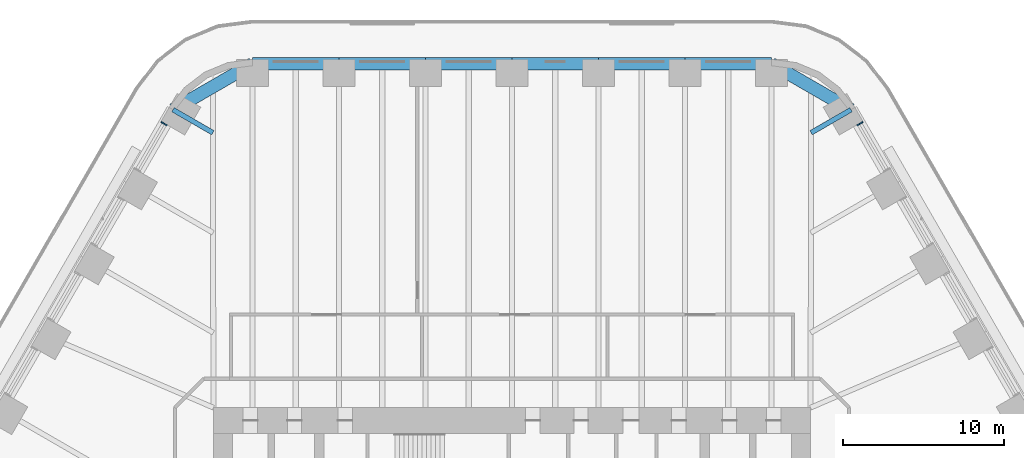
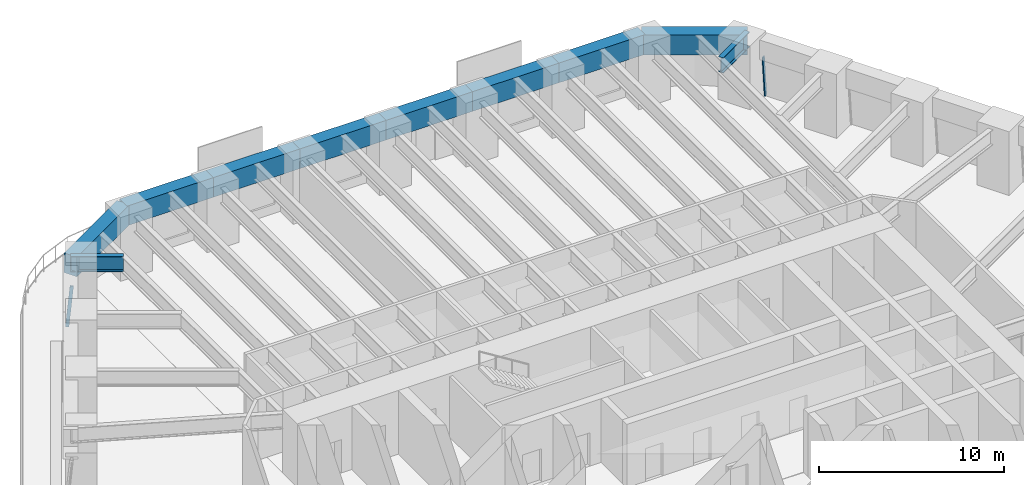
# One storey, part 14 of 23: 10 beams, 2 members, 2 elements without a shape of their own.
"""IFC4 building model written with IfcOpenShell, lengths in metres."""

from ifc_helpers import new_model, si_unit, direction, frame, origin, origin_2d, place, context, subcontext, project, spatial, rectangle, i_section, extrude, material, material_profile, profile_set, type_object, element, aggregate, save


model = new_model("IFC4")

# Units and contexts
model_context = context("Model", 3, precision=1e-05, world=origin(), true_north=direction((0.0, 1.0)))
body_context = subcontext(model_context, "Body", "Model", "MODEL_VIEW")
ifc_project = project(units=[si_unit("LENGTHUNIT", "METRE"), si_unit("AREAUNIT", "SQUARE_METRE"), si_unit("VOLUMEUNIT", "CUBIC_METRE"), si_unit("PLANEANGLEUNIT", "RADIAN"), si_unit("MASSUNIT", "GRAM", prefix="KILO")], contexts=[model_context])

# Site, building, storey
site_placement = place(None, origin())
site = spatial("IfcSite", under=ifc_project, at=site_placement, CompositionType="ELEMENT")
building_placement = place(site_placement, origin())
building = spatial("IfcBuilding", under=site, at=building_placement, Name="Tarfa Lantern Tower", CompositionType="ELEMENT")
storey_placement = place(building_placement, frame((0.0, 0.0, 78.10009765625)))
storey = spatial("IfcBuildingStorey", under=building, at=storey_placement, Name="L17", CompositionType="ELEMENT", Elevation=78.10009765625)

# Curtain wall, member
ifc_material_1 = material(Name="Aluminium framed curtain wall", Category="aluminium")
curtain_wall_type = type_object("IfcCurtainWallType", Name="CW1 CANTED GLAZING LOW ZONE 2700", PredefinedType="USERDEFINED", material=ifc_material_1)
curtain_wall_1_placement = place(storey_placement, origin())
curtain_wall_1 = element("IfcCurtainWall", 1, at=curtain_wall_1_placement, inside=storey, type_object=curtain_wall_type, Name="CW1 NE L17", ObjectType="CURTAIN WALL", PredefinedType="USERDEFINED")
ifc_material_2 = material(Name="Aluminium mullion", Category="aluminium")
ifc_material_profile_1 = material_profile(ifc_material_2, rectangle(XDim=0.06494140625, YDim=0.199951171875, at=origin_2d()), Name="AL MULLION 65x200")
ifc_profile_set_1 = profile_set([ifc_material_profile_1], Name="Aluminium mullion")
member_type = type_object("IfcMemberType", Name="CWM1 MULLION 65x200", PredefinedType="MULLION", material=ifc_profile_set_1)
member_1_placement = place(storey_placement, frame((21.79150390625, 30.055908203125, 0.0), z_axis=(-0.079774955866, -0.04610020023, 0.995746317068), x_axis=(0.500342721131, -0.865827443207, 0.0)))
member_1 = element("IfcMember", 2, at=member_1_placement, type_object=member_type, Name="CW1 mullion 2", PredefinedType="MULLION", context=body_context, shape_type="SweptSolid", body=[
    extrude(rectangle(XDim=0.06494140625, YDim=0.199951171875, at=origin_2d()), origin(), (0.0, 0.0, 1.0), 2.71142578125),
])
aggregate(curtain_wall_1, [member_1])

curtain_wall_2_placement = place(storey_placement, origin())
curtain_wall_2 = element("IfcCurtainWall", 3, at=curtain_wall_2_placement, inside=storey, type_object=curtain_wall_type, Name="CW1 NW L17", ObjectType="CURTAIN WALL", PredefinedType="USERDEFINED")
member_2_placement = place(storey_placement, frame((-21.79150390625, 30.055908203125, 0.0), z_axis=(0.079774955866, -0.04610020023, 0.995746317068), x_axis=(0.500342721131, 0.865827443207, 0.0)))
member_2 = element("IfcMember", 4, at=member_2_placement, type_object=member_type, Name="CW1 mullion 1", PredefinedType="MULLION", context=body_context, shape_type="SweptSolid", body=[
    extrude(rectangle(XDim=0.06494140625, YDim=0.199951171875, at=origin_2d()), origin(), (0.0, 0.0, 1.0), 2.71142578125),
])
aggregate(curtain_wall_2, [member_2])

# Beams
ifc_material_3 = material(Name="Concrete C80/95", Category="concrete")
ifc_material_profile_2 = material_profile(ifc_material_3, rectangle(XDim=0.800048828125, YDim=1.300048828125, at=origin_2d()), Name="RC 800x1300")
ifc_profile_set_2 = profile_set([ifc_material_profile_2], Name="Concrete C80/95")
beam_type_1 = type_object("IfcBeamType", Name="EB1 RC 800x1300", PredefinedType="SPANDREL", material=ifc_profile_set_2)
beam_1_placement = place(storey_placement, frame((21.119384765625, 30.860107421875, 3.349853515625), z_axis=(-0.866033479681, 0.499986011877, 0.0), x_axis=(-0.499986011877, -0.866033479681, 0.0)))
element("IfcBeam", 5, at=beam_1_placement, inside=storey, type_object=beam_type_1, Name="Edge beam NE6", PredefinedType="SPANDREL", context=body_context, shape_type="SweptSolid", body=[
    extrude(rectangle(XDim=0.800048828125, YDim=1.300048828125, at=origin_2d()), origin(), (0.0, 0.0, 1.0), 5.719970703125),
])
beam_2_placement = place(storey_placement, frame((16.165771484375, 33.719970703125, 3.349853515625), z_axis=(-1.0, 0.0, 0.0), x_axis=(0.0, -1.0, 0.0)))
element("IfcBeam", 6, at=beam_2_placement, inside=storey, type_object=beam_type_1, Name="Edge beam N0", PredefinedType="SPANDREL", context=body_context, shape_type="SweptSolid", body=[
    extrude(rectangle(XDim=0.800048828125, YDim=1.300048828125, at=origin_2d()), origin(), (0.0, 0.0, 1.0), 5.388671875),
])
beam_3_placement = place(storey_placement, frame((10.777099609375, 33.719970703125, 3.349853515625), z_axis=(-1.0, 0.0, 0.0), x_axis=(0.0, -1.0, 0.0)))
element("IfcBeam", 7, at=beam_3_placement, inside=storey, type_object=beam_type_1, Name="Edge beam N1", PredefinedType="SPANDREL", context=body_context, shape_type="SweptSolid", body=[
    extrude(rectangle(XDim=0.800048828125, YDim=1.300048828125, at=origin_2d()), origin(), (0.0, 0.0, 1.0), 5.388427734375),
])
for number, where, z_axis, x_axis, name in (
    (8, (5.388671875, 33.719970703125, 3.349853515625), (-1.0, 0.0, 0.0), (0.0, -1.0, 0.0), "Edge beam N2"),
    (9, (0.0, 33.719970703125, 3.349853515625), (-1.0, 0.0, 0.0), (0.0, -1.0, 0.0), "Edge beam N3"),
):
    element("IfcBeam", number, at=place(storey_placement, frame(where, z_axis=z_axis, x_axis=x_axis)), inside=storey, type_object=beam_type_1, Name=name, PredefinedType="SPANDREL", context=body_context, shape_type="SweptSolid", body=[
        extrude(rectangle(XDim=0.800048828125, YDim=1.300048828125, at=origin_2d()), origin(), (0.0, 0.0, 1.0), 5.388671875),
    ])
beam_4_placement = place(storey_placement, frame((-5.388671875, 33.719970703125, 3.349853515625), z_axis=(-1.0, 0.0, 0.0), x_axis=(0.0, -1.0, 0.0)))
element("IfcBeam", 10, at=beam_4_placement, inside=storey, type_object=beam_type_1, Name="Edge beam N4", PredefinedType="SPANDREL", context=body_context, shape_type="SweptSolid", body=[
    extrude(rectangle(XDim=0.800048828125, YDim=1.300048828125, at=origin_2d()), origin(), (0.0, 0.0, 1.0), 5.388427734375),
])
beam_5_placement = place(storey_placement, frame((-10.777099609375, 33.719970703125, 3.349853515625), z_axis=(-1.0, 0.0, 0.0), x_axis=(0.0, -1.0, 0.0)))
element("IfcBeam", 11, at=beam_5_placement, inside=storey, type_object=beam_type_1, Name="Edge beam N5", PredefinedType="SPANDREL", context=body_context, shape_type="SweptSolid", body=[
    extrude(rectangle(XDim=0.800048828125, YDim=1.300048828125, at=origin_2d()), origin(), (0.0, 0.0, 1.0), 5.388671875),
])
beam_6_placement = place(storey_placement, frame((-16.165771484375, 33.719970703125, 3.349853515625), z_axis=(-0.866033479681, -0.499986011877, 0.0), x_axis=(0.499986011877, -0.866033479681, 0.0)))
element("IfcBeam", 12, at=beam_6_placement, inside=storey, type_object=beam_type_1, Name="Edge beam N6", PredefinedType="SPANDREL", context=body_context, shape_type="SweptSolid", body=[
    extrude(rectangle(XDim=0.800048828125, YDim=1.300048828125, at=origin_2d()), origin(), (0.0, 0.0, 1.0), 5.719970703125),
])
ifc_material_4 = material(Name="Steel S460M", Category="steel")
ifc_material_profile_3 = material_profile(ifc_material_4, i_section(OverallWidth=0.302001953125, OverallDepth=1.008056640625, WebThickness=0.02099609375, FlangeThickness=0.0400390625, FilletRadius=0.030029296875, at=origin_2d()), Name="UB1016x305x349")
ifc_profile_set_3 = profile_set([ifc_material_profile_3], Name="Steel S460M")
beam_type_2 = type_object("IfcBeamType", Name="UB1016x305x349", PredefinedType="BEAM", material=ifc_profile_set_3)
for number, where, z_axis, x_axis, name in (
    (13, (21.119384765625, 30.860107421875, 3.495849609375), (-0.866012580594, -0.500022209759, 0.0), (0.500022209759, -0.866012580594, 0.0), "Floor beam NE6"),
    (14, (-21.119384765625, 30.860107421875, 3.495849609375), (0.866012580594, -0.500022209759, 0.0), (0.500022209759, 0.866012580594, 0.0), "Floor beam NW0"),
):
    element("IfcBeam", number, at=place(storey_placement, frame(where, z_axis=z_axis, x_axis=x_axis)), inside=storey, type_object=beam_type_2, Name=name, PredefinedType="BEAM", context=body_context, shape_type="SweptSolid", body=[
        extrude(i_section(OverallWidth=0.302001953125, OverallDepth=1.008056640625, WebThickness=0.02099609375, FlangeThickness=0.0400390625, FilletRadius=0.030029296875, at=origin_2d()), origin(), (0.0, 0.0, 1.0), 2.866943359375),
    ])

save(model, "model.ifc")
